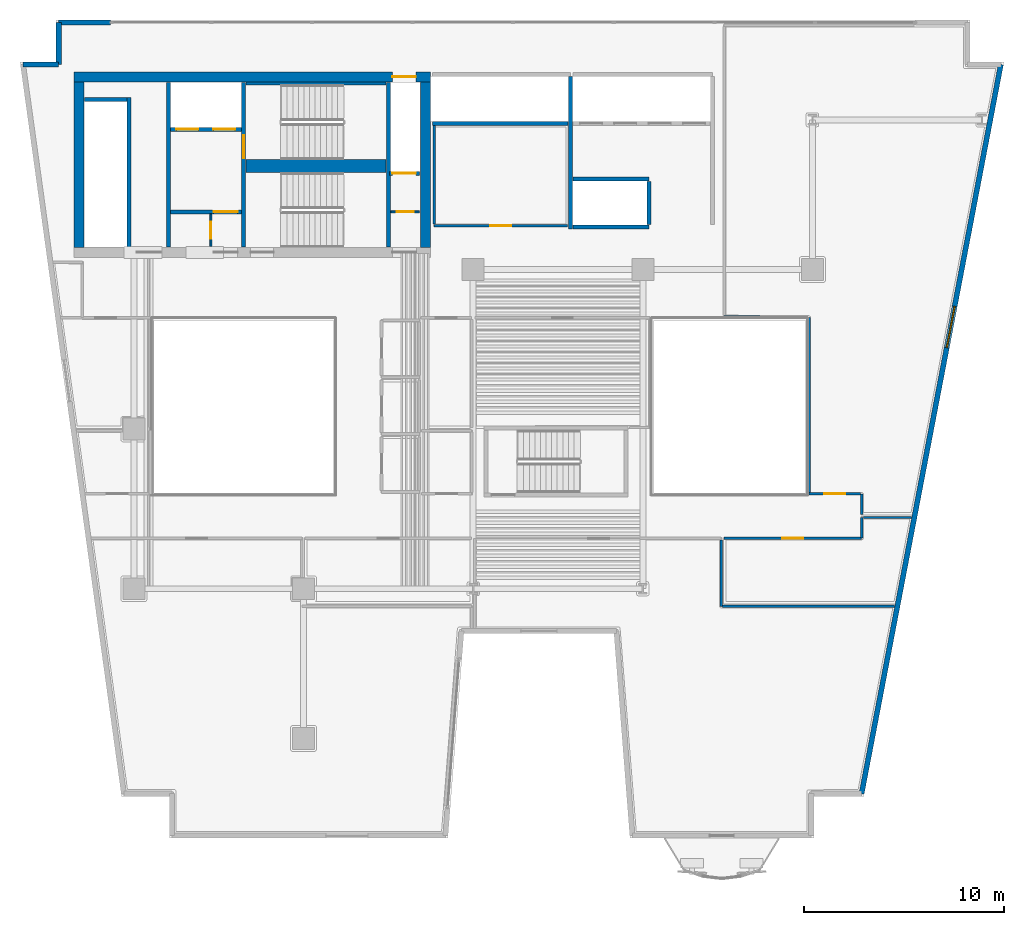
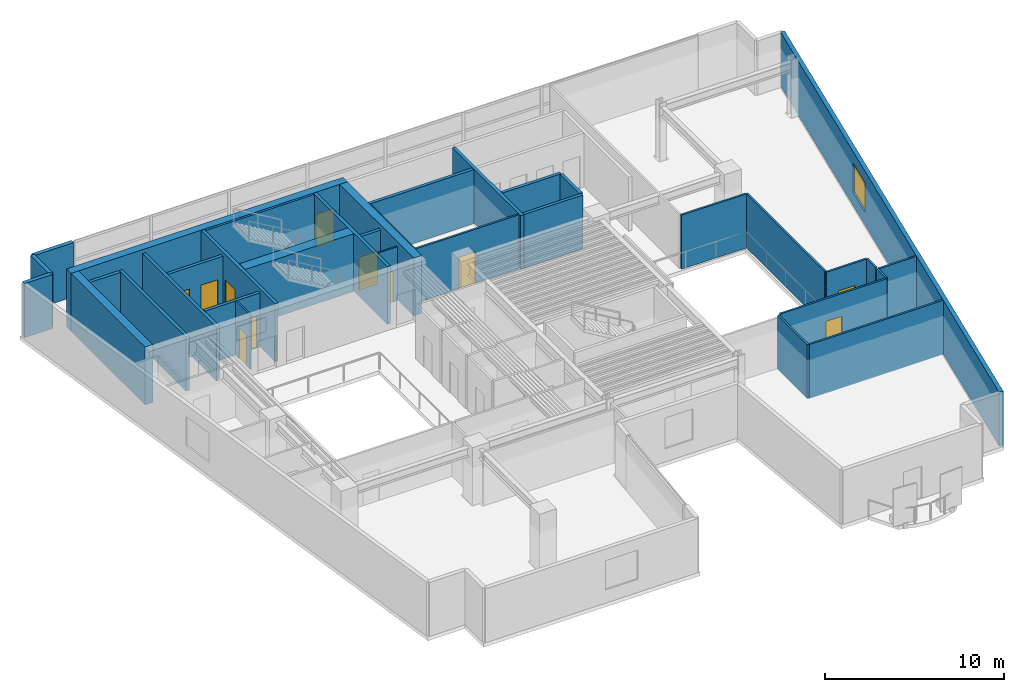
# One storey, part 7 of 12: 35 walls, 11 doors, 1 window, 12 openings.
"""IFC4 building model written with IfcOpenShell, lengths in metres."""

from ifc_helpers import new_model, si_unit, direction, frame, frame_2d, origin, place, context, subcontext, project, spatial, rectangle, extrude, material, layer, layer_set, type_object, element, fill, save


model = new_model("IFC4")

# Units and contexts
model_context = context("Model", 3, precision=1e-05, world=origin(), true_north=direction((0.0, 1.0)))
body_context = subcontext(model_context, "Body", "Model", "MODEL_VIEW")
ifc_project = project(units=[si_unit("LENGTHUNIT", "METRE"), si_unit("AREAUNIT", "SQUARE_METRE"), si_unit("VOLUMEUNIT", "CUBIC_METRE"), si_unit("PLANEANGLEUNIT", "RADIAN"), si_unit("MASSUNIT", "GRAM", prefix="KILO")], contexts=[model_context])

# Site, building, storey
site_placement = place(None, origin())
site = spatial("IfcSite", under=ifc_project, at=site_placement, CompositionType="ELEMENT")
building_placement = place(site_placement, origin())
building = spatial("IfcBuilding", under=site, at=building_placement, Name="Caeloran Harvest Quay", CompositionType="ELEMENT")
storey_placement = place(building_placement, frame((0.0, 0.0, 111.39990234375)))
storey = spatial("IfcBuildingStorey", under=building, at=storey_placement, Name="L25", CompositionType="ELEMENT", Elevation=111.39990234375)

# Walls
ifc_material_1 = material(Name="Precast concrete C50/60", Category="concrete")
ifc_layer_1 = layer(ifc_material_1, 0.260009765625, Name="Precast concrete C50/60")
ifc_layer_set_1 = layer_set([ifc_layer_1], Name="Precast concrete C50/60")
wall_type_1 = type_object("IfcWallType", Name="ENV-WALL-EW-260", PredefinedType="STANDARD", material=ifc_layer_set_1)
wall_1_placement = place(storey_placement, frame((2.939697265625, 41.27001953125, 0.0), z_axis=(0.0, 0.0, 1.0), x_axis=(1.0, 0.0, 0.0)))
element("IfcWall", 1, at=wall_1_placement, inside=storey, type_object=wall_type_1, Name="L25 Exterior Precast Concrete Facade Wall 4", PredefinedType="STANDARD", context=body_context, shape_type="SweptSolid", body=[
    extrude(rectangle(XDim=1.790283203125, YDim=0.260009765625, at=frame_2d((0.89501953125, 0.0))), origin(), (0.0, 0.0, 1.0), 3.690185546875),
])
wall_2_placement = place(storey_placement, frame((4.72998046875, 41.27001953125, 0.0), z_axis=(0.0, 0.0, 1.0), x_axis=(0.0, 1.0, 0.0)))
element("IfcWall", 2, at=wall_2_placement, inside=storey, type_object=wall_type_1, Name="L25 Exterior Precast Concrete Facade Wall 5", PredefinedType="STANDARD", context=body_context, shape_type="SweptSolid", body=[
    extrude(rectangle(XDim=2.10009765625, YDim=0.260009765625, at=frame_2d((1.050048828125, 0.0))), origin(), (0.0, 0.0, 1.0), 3.690185546875),
])
wall_3_placement = place(storey_placement, frame((4.72998046875, 43.3701171875, 0.0), z_axis=(0.0, 0.0, 1.0), x_axis=(1.0, 0.0, 0.0)))
element("IfcWall", 3, at=wall_3_placement, inside=storey, type_object=wall_type_1, Name="L25 Exterior Facade Corner Pier Wall 6A", PredefinedType="STANDARD", context=body_context, shape_type="SweptSolid", body=[
    extrude(rectangle(XDim=2.60009765625, YDim=0.260009765625, at=frame_2d((1.300048828125, 0.0))), origin(), (0.0, 0.0, 1.0), 3.690185546875),
])

# Wall, opening, window
wall_4_placement = place(storey_placement, frame((51.94189453125, 41.27001953125, 0.0), z_axis=(0.0, 0.0, 1.0), x_axis=(-0.187592192405, -0.982247000173, 0.0)))
wall_4 = element("IfcWall", 4, at=wall_4_placement, inside=storey, type_object=wall_type_1, Name="L25 Exterior Precast Concrete Facade Wall 9", PredefinedType="STANDARD", context=body_context, shape_type="SweptSolid", body=[
    extrude(rectangle(XDim=37.200439453125, YDim=0.260009765625, at=frame_2d((18.60009765625, 0.0))), origin(), (0.0, 0.0, 1.0), 3.690185546875),
])
opening_1_placement = place(wall_4_placement, frame((12.342041015625, 0.0, 0.89990234375)))
opening_1 = element("IfcOpeningElement", 5, at=opening_1_placement, cuts=wall_4, Name="Opening W-06", PredefinedType="OPENING", context=body_context, shape_type="SweptSolid", body=[
    extrude(rectangle(XDim=2.10009765625, YDim=2.0, at=frame_2d((1.050048828125, 1.0))), frame((0.0, 0.14013671875, 0.0), z_axis=(0.0, -1.0, 0.0), x_axis=(1.0, 0.0, 0.0)), (0.0, 0.0, 1.0), 0.280029296875),
])
ifc_material_2 = material(Name="Aluminium-Framed Low-E Laminated Glass", Category="aluminium")
window_type = type_object("IfcWindowType", Name="WIN-W-06", PartitioningType="DOUBLE_PANEL_VERTICAL", PredefinedType="WINDOW", material=ifc_material_2)
window_placement = place(opening_1_placement, origin())
window = element("IfcWindow", 6, at=window_placement, inside=storey, type_object=window_type, Name="L25 Facade Punched Window W-06", OverallHeight=2.0, OverallWidth=2.10009765625, PartitioningType="DOUBLE_PANEL_VERTICAL", PredefinedType="WINDOW", context=body_context, shape_type="SweptSolid", body=[
    extrude(rectangle(XDim=2.10009765625, YDim=2.0, at=frame_2d((1.050048828125, 1.0))), frame((0.0, 0.030029296875, 0.0), z_axis=(0.0, -1.0, 0.0), x_axis=(1.0, 0.0, 0.0)), (0.0, 0.0, 1.0), 0.06005859375),
])
fill(opening_1, window)

# Wall, opening, door
ifc_material_3 = material(Name="Fire-Resisting Gypsum Core Riser Partition", Category="gypsum")
ifc_layer_2 = layer(ifc_material_3, 0.10009765625, Name="Fire-Resisting Gypsum Core Riser Partition")
ifc_layer_set_2 = layer_set([ifc_layer_2], Name="Fire-Resisting Gypsum Core Riser Partition")
wall_type_2 = type_object("IfcWallType", Name="INT-WALL-PW-100", PredefinedType="PARTITIONING", material=ifc_layer_set_2)
wall_5_placement = place(storey_placement, frame((12.360107421875, 32.159912109375, 0.0), z_axis=(0.0, 0.0, 1.0), x_axis=(0.0, 1.0, 0.0)))
wall_5 = element("IfcWall", 7, at=wall_5_placement, inside=storey, type_object=wall_type_2, Name="L25 Core Store Partition Wall", PredefinedType="PARTITIONING", context=body_context, shape_type="SweptSolid", body=[
    extrude(rectangle(XDim=1.6201171875, YDim=0.10009765625, at=frame_2d((0.81005859375, 0.0))), origin(), (0.0, 0.0, 1.0), 3.690185546875),
])
opening_2_placement = place(wall_5_placement, frame((0.3798828125, 0.0, 0.0)))
opening_2 = element("IfcOpeningElement", 8, at=opening_2_placement, cuts=wall_5, Name="Opening SV-01", PredefinedType="OPENING", context=body_context, shape_type="SweptSolid", body=[
    extrude(rectangle(XDim=0.85009765625, YDim=2.10009765625, at=frame_2d((0.425048828125, 1.050048828125))), frame((0.0, 0.06005859375, 0.0), z_axis=(0.0, -1.0, 0.0), x_axis=(1.0, 0.0, 0.0)), (0.0, 0.0, 1.0), 0.1201171875),
])
ifc_material_4 = material(Name="Galvanized Painted Steel", Category="steel")
door_type_1 = type_object("IfcDoorType", Name="INTDOOR-SV-01", OperationType="NOTDEFINED", PredefinedType="DOOR", material=ifc_material_4)
door_1_placement = place(opening_2_placement, origin())
door_1 = element("IfcDoor", 9, at=door_1_placement, inside=storey, type_object=door_type_1, Name="L25 Core Service Room Access Door", OperationType="SINGLE_SWING_LEFT", OverallHeight=2.10009765625, OverallWidth=0.85009765625, PredefinedType="DOOR", context=body_context, shape_type="SweptSolid", body=[
    extrude(rectangle(XDim=0.85009765625, YDim=2.10009765625, at=frame_2d((0.425048828125, 1.050048828125))), frame((0.0, 0.02490234375, 0.0), z_axis=(0.0, -1.0, 0.0), x_axis=(1.0, 0.0, 0.0)), (0.0, 0.0, 1.0), 0.050048828125),
])
fill(opening_2, door_1)

wall_6_placement = place(storey_placement, frame((21.3798828125, 33.889892578125, 0.0), z_axis=(0.0, 0.0, 1.0), x_axis=(1.0, 0.0, 0.0)))
wall_6 = element("IfcWall", 10, at=wall_6_placement, inside=storey, type_object=wall_type_2, Name="L25 Cleaner Store Partition Wall", PredefinedType="PARTITIONING", context=body_context, shape_type="SweptSolid", body=[
    extrude(rectangle(XDim=1.420166015625, YDim=0.10009765625, at=frame_2d((0.7099609375, 0.0))), origin(), (0.0, 0.0, 1.0), 3.690185546875),
])
opening_3_placement = place(wall_6_placement, frame((0.280029296875, 0.0, 0.0)))
opening_3 = element("IfcOpeningElement", 11, at=opening_3_placement, cuts=wall_6, Name="Opening SV-01", PredefinedType="OPENING", context=body_context, shape_type="SweptSolid", body=[
    extrude(rectangle(XDim=0.85009765625, YDim=2.10009765625, at=frame_2d((0.425048828125, 1.050048828125))), frame((0.0, 0.06005859375, 0.0), z_axis=(0.0, -1.0, 0.0), x_axis=(1.0, 0.0, 0.0)), (0.0, 0.0, 1.0), 0.1201171875),
])
door_2_placement = place(opening_3_placement, origin())
door_2 = element("IfcDoor", 12, at=door_2_placement, inside=storey, type_object=door_type_1, Name="L25 Cleaner Supply Store Access Door", OperationType="SINGLE_SWING_RIGHT", OverallHeight=2.10009765625, OverallWidth=0.85009765625, PredefinedType="DOOR", context=body_context, shape_type="SweptSolid", body=[
    extrude(rectangle(XDim=0.85009765625, YDim=2.10009765625, at=frame_2d((0.425048828125, 1.050048828125))), frame((0.0, 0.02490234375, 0.0), z_axis=(0.0, -1.0, 0.0), x_axis=(1.0, 0.0, 0.0)), (0.0, 0.0, 1.0), 0.050048828125),
])
fill(opening_3, door_2)

ifc_material_5 = material(Name="Twin-Stud Mineral-Wool Acoustic Gypsum Partition", Category="gypsum")
ifc_layer_3 = layer(ifc_material_5, 0.125, Name="Twin-Stud Mineral-Wool Acoustic Gypsum Partition")
ifc_layer_set_3 = layer_set([ifc_layer_3], Name="Twin-Stud Mineral-Wool Acoustic Gypsum Partition")
wall_type_3 = type_object("IfcWallType", Name="INT-WALL-PW-125", PredefinedType="PARTITIONING", material=ifc_layer_set_3)
wall_7_placement = place(storey_placement, frame((30.219970703125, 33.199951171875, 0.0), z_axis=(0.0, 0.0, 1.0), x_axis=(-1.0, 0.0, 0.0)))
wall_7 = element("IfcWall", 13, at=wall_7_placement, inside=storey, type_object=wall_type_3, Name="L25 North Core Calibration Lab Partition Wall", PredefinedType="PARTITIONING", context=body_context, shape_type="SweptSolid", body=[
    extrude(rectangle(XDim=6.679931640625, YDim=0.125, at=frame_2d((3.33984375, 0.0))), origin(), (0.0, 0.0, 1.0), 3.690185546875),
])
opening_4_placement = place(wall_7_placement, frame((2.81494140625, 0.0, 0.0)))
opening_4 = element("IfcOpeningElement", 14, at=opening_4_placement, cuts=wall_7, Name="Opening ID-03", PredefinedType="OPENING", context=body_context, shape_type="SweptSolid", body=[
    extrude(rectangle(XDim=1.050048828125, YDim=2.14990234375, at=frame_2d((0.52490234375, 1.074951171875))), frame((0.0, 0.072509765625, 0.0), z_axis=(0.0, -1.0, 0.0), x_axis=(1.0, 0.0, 0.0)), (0.0, 0.0, 1.0), 0.14501953125),
])
ifc_material_6 = material(Name="FSC Solid-Core Oak Timber Leaf", Category="wood")
door_type_2 = type_object("IfcDoorType", Name="INTDOOR-ID-03", OperationType="NOTDEFINED", PredefinedType="DOOR", material=ifc_material_6)
door_3_placement = place(opening_4_placement, origin())
door_3 = element("IfcDoor", 15, at=door_3_placement, inside=storey, type_object=door_type_2, Name="L25 North Core Calibration Lab Access Door", OperationType="SINGLE_SWING_LEFT", OverallHeight=2.14990234375, OverallWidth=1.050048828125, PredefinedType="DOOR", context=body_context, shape_type="SweptSolid", body=[
    extrude(rectangle(XDim=1.050048828125, YDim=2.14990234375, at=frame_2d((0.52490234375, 1.074951171875))), frame((0.0, 0.02490234375, 0.0), z_axis=(0.0, -1.0, 0.0), x_axis=(1.0, 0.0, 0.0)), (0.0, 0.0, 1.0), 0.050048828125),
])
fill(opening_4, door_3)

# Walls
wall_8_placement = place(storey_placement, frame((23.5400390625, 33.267578125, 0.0), z_axis=(0.0, 0.0, 1.0), x_axis=(0.0, 1.0, 0.0)))
element("IfcWall", 16, at=wall_8_placement, inside=storey, type_object=wall_type_3, Name="L25 North Core Calibration Lab Partition Wall", PredefinedType="PARTITIONING", context=body_context, shape_type="SweptSolid", body=[
    extrude(rectangle(XDim=4.947509765625, YDim=0.125, at=frame_2d((2.4736328125, 0.0))), origin(), (0.0, 0.0, 1.0), 3.690185546875),
])
wall_9_placement = place(storey_placement, frame((37.919921875, 17.452392578125, 0.0), z_axis=(0.0, 0.0, 1.0), x_axis=(0.0, -1.0, 0.0)))
element("IfcWall", 17, at=wall_9_placement, inside=storey, type_object=wall_type_3, Name="Crop Genomics Wet Laboratory Partition Wall", PredefinedType="PARTITIONING", context=body_context, shape_type="SweptSolid", body=[
    extrude(rectangle(XDim=3.332275390625, YDim=0.125, at=frame_2d((1.666015625, 0.0))), origin(), (0.0, 0.0, 1.0), 3.690185546875),
])
wall_10_placement = place(storey_placement, frame((37.987548828125, 14.1201171875, 0.0), z_axis=(0.0, 0.0, 1.0), x_axis=(1.0, 0.0, 0.0)))
element("IfcWall", 18, at=wall_10_placement, inside=storey, type_object=wall_type_3, Name="Crop Genomics Wet Laboratory Partition Wall", PredefinedType="PARTITIONING", context=body_context, shape_type="SweptSolid", body=[
    extrude(rectangle(XDim=8.6318359375, YDim=0.125, at=frame_2d((4.31591796875, 0.0))), origin(), (0.0, 0.0, 1.0), 3.690185546875),
])
wall_11_placement = place(storey_placement, frame((44.97998046875, 17.550048828125, 0.0), z_axis=(0.0, 0.0, 1.0), x_axis=(0.0, 1.0, 0.0)))
element("IfcWall", 19, at=wall_11_placement, inside=storey, type_object=wall_type_3, Name="Patent Strategy Office Partition Wall", PredefinedType="PARTITIONING", context=body_context, shape_type="SweptSolid", body=[
    extrude(rectangle(XDim=1.02001953125, YDim=0.125, at=frame_2d((0.510009765625, 0.0))), origin(), (0.0, 0.0, 1.0), 3.690185546875),
])
wall_12_placement = place(storey_placement, frame((45.047607421875, 18.570068359375, 0.0), z_axis=(0.0, 0.0, 1.0), x_axis=(1.0, 0.0, 0.0)))
element("IfcWall", 20, at=wall_12_placement, inside=storey, type_object=wall_type_3, Name="Patent Strategy Office Partition Wall", PredefinedType="PARTITIONING", context=body_context, shape_type="SweptSolid", body=[
    extrude(rectangle(XDim=2.421630859375, YDim=0.125, at=frame_2d((1.2109375, 0.0))), origin(), (0.0, 0.0, 1.0), 3.690185546875),
])

# Wall, opening, door
wall_13_placement = place(storey_placement, frame((38.080078125, 17.52001953125, 0.0), z_axis=(0.0, 0.0, 1.0), x_axis=(1.0, 0.0, 0.0)))
wall_13 = element("IfcWall", 21, at=wall_13_placement, inside=storey, type_object=wall_type_3, Name="Patent Strategy Office Partition Wall", PredefinedType="PARTITIONING", context=body_context, shape_type="SweptSolid", body=[
    extrude(rectangle(XDim=6.869873046875, YDim=0.125, at=frame_2d((3.43505859375, 0.0))), origin(), (0.0, 0.0, 1.0), 3.690185546875),
])
opening_5_placement = place(wall_13_placement, frame((2.909912109375, 0.0, 0.0)))
opening_5 = element("IfcOpeningElement", 22, at=opening_5_placement, cuts=wall_13, Name="Opening ID-03", PredefinedType="OPENING", context=body_context, shape_type="SweptSolid", body=[
    extrude(rectangle(XDim=1.050048828125, YDim=2.14990234375, at=frame_2d((0.52490234375, 1.074951171875))), frame((0.0, 0.072509765625, 0.0), z_axis=(0.0, -1.0, 0.0), x_axis=(1.0, 0.0, 0.0)), (0.0, 0.0, 1.0), 0.14501953125),
])
door_4_placement = place(opening_5_placement, origin())
door_4 = element("IfcDoor", 23, at=door_4_placement, inside=storey, type_object=door_type_2, Name="Patent Strategy Office Access Door", OperationType="SINGLE_SWING_RIGHT", OverallHeight=2.14990234375, OverallWidth=1.050048828125, PredefinedType="DOOR", context=body_context, shape_type="SweptSolid", body=[
    extrude(rectangle(XDim=1.050048828125, YDim=2.14990234375, at=frame_2d((0.52490234375, 1.074951171875))), frame((0.0, 0.02490234375, 0.0), z_axis=(0.0, -1.0, 0.0), x_axis=(1.0, 0.0, 0.0)), (0.0, 0.0, 1.0), 0.050048828125),
])
fill(opening_5, door_4)

# Wall
wall_14_placement = place(storey_placement, frame((44.97998046875, 18.72998046875, 0.0), z_axis=(0.0, 0.0, 1.0), x_axis=(0.0, 1.0, 0.0)))
element("IfcWall", 24, at=wall_14_placement, inside=storey, type_object=wall_type_3, Name="Phenotyping Sensor Laboratory 10 Partition Wall", PredefinedType="PARTITIONING", context=body_context, shape_type="SweptSolid", body=[
    extrude(rectangle(XDim=1.02001953125, YDim=0.125, at=frame_2d((0.510009765625, 0.0))), origin(), (0.0, 0.0, 1.0), 3.690185546875),
])

# Wall, opening, door
wall_15_placement = place(storey_placement, frame((44.91259765625, 19.75, 0.0), z_axis=(0.0, 0.0, 1.0), x_axis=(-1.0, 0.0, 0.0)))
wall_15 = element("IfcWall", 25, at=wall_15_placement, inside=storey, type_object=wall_type_3, Name="Phenotyping Sensor Laboratory 10 Partition Wall", PredefinedType="PARTITIONING", context=body_context, shape_type="SweptSolid", body=[
    extrude(rectangle(XDim=2.58251953125, YDim=0.125, at=frame_2d((1.291259765625, 0.0))), origin(), (0.0, 0.0, 1.0), 3.690185546875),
])
opening_6_placement = place(wall_15_placement, frame((0.766357421875, 0.0, 0.0)))
opening_6 = element("IfcOpeningElement", 26, at=opening_6_placement, cuts=wall_15, Name="Opening ID-03", PredefinedType="OPENING", context=body_context, shape_type="SweptSolid", body=[
    extrude(rectangle(XDim=1.050048828125, YDim=2.14990234375, at=frame_2d((0.52490234375, 1.074951171875))), frame((0.0, 0.072509765625, 0.0), z_axis=(0.0, -1.0, 0.0), x_axis=(1.0, 0.0, 0.0)), (0.0, 0.0, 1.0), 0.14501953125),
])
door_5_placement = place(opening_6_placement, origin())
door_5 = element("IfcDoor", 27, at=door_5_placement, inside=storey, type_object=door_type_2, Name="Phenotyping Sensor Laboratory 10 Access Door", OperationType="SINGLE_SWING_RIGHT", OverallHeight=2.14990234375, OverallWidth=1.050048828125, PredefinedType="DOOR", context=body_context, shape_type="SweptSolid", body=[
    extrude(rectangle(XDim=1.050048828125, YDim=2.14990234375, at=frame_2d((0.52490234375, 1.074951171875))), frame((0.0, 0.02490234375, 0.0), z_axis=(0.0, -1.0, 0.0), x_axis=(1.0, 0.0, 0.0)), (0.0, 0.0, 1.0), 0.050048828125),
])
fill(opening_6, door_5)

# Walls
wall_16_placement = place(storey_placement, frame((42.330078125, 19.8173828125, 0.0), z_axis=(0.0, 0.0, 1.0), x_axis=(0.0, 1.0, 0.0)))
element("IfcWall", 28, at=wall_16_placement, inside=storey, type_object=wall_type_3, Name="Phenotyping Sensor Laboratory 10 Partition Wall", PredefinedType="PARTITIONING", context=body_context, shape_type="SweptSolid", body=[
    extrude(rectangle(XDim=8.78271484375, YDim=0.125, at=frame_2d((4.391357421875, 0.0))), origin(), (0.0, 0.0, 1.0), 3.690185546875),
])
wall_17_placement = place(storey_placement, frame((42.262451171875, 28.6005859375, 0.0), z_axis=(0.0, 0.0, 1.0), x_axis=(-0.999975466976, 0.007004673168, 0.0)))
element("IfcWall", 29, at=wall_17_placement, inside=storey, type_object=wall_type_3, Name="Phenotyping Sensor Laboratory 10 Partition Wall", PredefinedType="PARTITIONING", context=body_context, shape_type="SweptSolid", body=[
    extrude(rectangle(XDim=4.182373046875, YDim=0.125, at=frame_2d((2.09130859375, 0.0))), origin(), (0.0, 0.0, 1.0), 3.690185546875),
])
ifc_material_7 = material(Name="Concrete C50/60", Category="concrete")
ifc_layer_4 = layer(ifc_material_7, 0.199951171875, Name="Concrete C50/60")
ifc_layer_set_4 = layer_set([ifc_layer_4], Name="Concrete C50/60")
wall_type_4 = type_object("IfcWallType", Name="INT-WALL-SW-200", PredefinedType="PARTITIONING", material=ifc_layer_set_4)
wall_18_placement = place(storey_placement, frame((8.260009765625, 32.1201171875, 0.0), z_axis=(0.0, 0.0, 1.0), x_axis=(0.0, 1.0, 0.0)))
element("IfcWall", 30, at=wall_18_placement, inside=storey, type_object=wall_type_4, Name="L25 Bank 3 Lift Shaft Wall", PredefinedType="PARTITIONING", context=body_context, shape_type="SweptSolid", body=[
    extrude(rectangle(XDim=7.5, YDim=0.199951171875, at=frame_2d((3.75, 0.0))), origin(), (0.0, 0.0, 1.0), 3.690185546875),
])
wall_19_placement = place(storey_placement, frame((6.02001953125, 39.52001953125, 0.0), z_axis=(0.0, 0.0, 1.0), x_axis=(1.0, 0.0, 0.0)))
element("IfcWall", 31, at=wall_19_placement, inside=storey, type_object=wall_type_4, Name="L25 Bank 3 Lift Shaft North End Wall", PredefinedType="PARTITIONING", context=body_context, shape_type="SweptSolid", body=[
    extrude(rectangle(XDim=2.119873046875, YDim=0.199951171875, at=frame_2d((1.06005859375, 0.0))), origin(), (0.0, 0.0, 1.0), 3.690185546875),
])
wall_20_placement = place(storey_placement, frame((10.219970703125, 32.1201171875, 0.0), z_axis=(0.0, 0.0, 1.0), x_axis=(0.0, 1.0, 0.0)))
element("IfcWall", 32, at=wall_20_placement, inside=storey, type_object=wall_type_4, Name="L25 Core Lobby Compartment Wall", PredefinedType="PARTITIONING", context=body_context, shape_type="SweptSolid", body=[
    extrude(rectangle(XDim=8.259765625, YDim=0.199951171875, at=frame_2d((4.1298828125, 0.0))), origin(), (0.0, 0.0, 1.0), 3.690185546875),
])

# Wall, openings, doors
wall_21_placement = place(storey_placement, frame((10.340087890625, 38.02001953125, 0.0), z_axis=(0.0, 0.0, 1.0), x_axis=(1.0, 0.0, 0.0)))
wall_21 = element("IfcWall", 33, at=wall_21_placement, inside=storey, type_object=wall_type_4, Name="L25 Firefighting Lift Shaft Wall", PredefinedType="PARTITIONING", context=body_context, shape_type="SweptSolid", body=[
    extrude(rectangle(XDim=3.539794921875, YDim=0.199951171875, at=frame_2d((1.77001953125, 0.0))), origin(), (0.0, 0.0, 1.0), 3.690185546875),
])
opening_7_placement = place(wall_21_placement, frame((0.284912109375, 0.0, 0.0)))
opening_7 = element("IfcOpeningElement", 34, at=opening_7_placement, cuts=wall_21, Name="Opening LD-01", PredefinedType="OPENING", context=body_context, shape_type="SweptSolid", body=[
    extrude(rectangle(XDim=1.10009765625, YDim=2.199951171875, at=frame_2d((0.550048828125, 1.10009765625))), frame((0.0, 0.10986328125, 0.0), z_axis=(0.0, -1.0, 0.0), x_axis=(1.0, 0.0, 0.0)), (0.0, 0.0, 1.0), 0.219970703125),
])
opening_8_placement = place(wall_21_placement, frame((2.135009765625, 0.0, 0.0)))
opening_8 = element("IfcOpeningElement", 35, at=opening_8_placement, cuts=wall_21, Name="Opening LD-01", PredefinedType="OPENING", context=body_context, shape_type="SweptSolid", body=[
    extrude(rectangle(XDim=1.10009765625, YDim=2.199951171875, at=frame_2d((0.550048828125, 1.10009765625))), frame((0.0, 0.10986328125, 0.0), z_axis=(0.0, -1.0, 0.0), x_axis=(1.0, 0.0, 0.0)), (0.0, 0.0, 1.0), 0.219970703125),
])
ifc_material_8 = material(Name="Stainless Steel Grade 316", Category="steel")
door_type_3 = type_object("IfcDoorType", Name="INTDOOR-LD-01", OperationType="NOTDEFINED", PredefinedType="DOOR", material=ifc_material_8)
door_6_placement = place(opening_7_placement, origin())
door_6 = element("IfcDoor", 36, at=door_6_placement, inside=storey, type_object=door_type_3, Name="Lift FF-1 Sliding Landing Door (L25)", OperationType="DOUBLE_DOOR_SLIDING", OverallHeight=2.199951171875, OverallWidth=1.10009765625, PredefinedType="DOOR", context=body_context, shape_type="SweptSolid", body=[
    extrude(rectangle(XDim=1.10009765625, YDim=2.199951171875, at=frame_2d((0.550048828125, 1.10009765625))), frame((0.0, 0.02490234375, 0.0), z_axis=(0.0, -1.0, 0.0), x_axis=(1.0, 0.0, 0.0)), (0.0, 0.0, 1.0), 0.050048828125),
])
fill(opening_7, door_6)
door_7_placement = place(opening_8_placement, origin())
door_7 = element("IfcDoor", 37, at=door_7_placement, inside=storey, type_object=door_type_3, Name="Lift FF-2 Sliding Landing Door (L25)", OperationType="DOUBLE_DOOR_SLIDING", OverallHeight=2.199951171875, OverallWidth=1.10009765625, PredefinedType="DOOR", context=body_context, shape_type="SweptSolid", body=[
    extrude(rectangle(XDim=1.10009765625, YDim=2.199951171875, at=frame_2d((0.550048828125, 1.10009765625))), frame((0.0, 0.02490234375, 0.0), z_axis=(0.0, -1.0, 0.0), x_axis=(1.0, 0.0, 0.0)), (0.0, 0.0, 1.0), 0.050048828125),
])
fill(opening_8, door_7)

# Wall, opening, door
wall_22_placement = place(storey_placement, frame((10.340087890625, 33.8798828125, 0.0), z_axis=(0.0, 0.0, 1.0), x_axis=(1.0, 0.0, 0.0)))
wall_22 = element("IfcWall", 38, at=wall_22_placement, inside=storey, type_object=wall_type_4, Name="L25 Firefighting Lift Lobby Enclosure Wall", PredefinedType="PARTITIONING", context=body_context, shape_type="SweptSolid", body=[
    extrude(rectangle(XDim=3.559814453125, YDim=0.199951171875, at=frame_2d((1.77978515625, 0.0))), origin(), (0.0, 0.0, 1.0), 3.690185546875),
])
opening_9_placement = place(wall_22_placement, frame((2.14990234375, 0.0, 0.0)))
opening_9 = element("IfcOpeningElement", 39, at=opening_9_placement, cuts=wall_22, Name="Opening FD-01", PredefinedType="OPENING", context=body_context, shape_type="SweptSolid", body=[
    extrude(rectangle(XDim=1.199951171875, YDim=2.199951171875, at=frame_2d((0.60009765625, 1.10009765625))), frame((0.0, 0.10986328125, 0.0), z_axis=(0.0, -1.0, 0.0), x_axis=(1.0, 0.0, 0.0)), (0.0, 0.0, 1.0), 0.219970703125),
])
ifc_material_9 = material(Name="Steel", Category="steel")
door_type_4 = type_object("IfcDoorType", Name="INTDOOR-FD-01", OperationType="NOTDEFINED", PredefinedType="DOOR", material=ifc_material_9)
door_8_placement = place(opening_9_placement, origin())
door_8 = element("IfcDoor", 40, at=door_8_placement, inside=storey, type_object=door_type_4, Name="L25 Firefighting Lift Lobby Smoke-Seal Fire Door", OperationType="SINGLE_SWING_LEFT", OverallHeight=2.199951171875, OverallWidth=1.199951171875, PredefinedType="DOOR", context=body_context, shape_type="SweptSolid", body=[
    extrude(rectangle(XDim=1.199951171875, YDim=2.199951171875, at=frame_2d((0.60009765625, 1.10009765625))), frame((0.0, 0.02490234375, 0.0), z_axis=(0.0, -1.0, 0.0), x_axis=(1.0, 0.0, 0.0)), (0.0, 0.0, 1.0), 0.050048828125),
])
fill(opening_9, door_8)

wall_23_placement = place(storey_placement, frame((21.300048828125, 35.820068359375, 0.0), z_axis=(0.0, 0.0, 1.0), x_axis=(1.0, 0.0, 0.0)))
wall_23 = element("IfcWall", 41, at=wall_23_placement, inside=storey, type_object=wall_type_4, Name="L25 Service Lift SV-2 Shaft Wall", PredefinedType="PARTITIONING", context=body_context, shape_type="SweptSolid", body=[
    extrude(rectangle(XDim=1.5, YDim=0.199951171875, at=frame_2d((0.75, 0.0))), origin(), (0.0, 0.0, 1.0), 3.690185546875),
])
opening_10_placement = place(wall_23_placement, frame((0.14501953125, 0.0, 0.0)))
opening_10 = element("IfcOpeningElement", 42, at=opening_10_placement, cuts=wall_23, Name="Opening LD-02", PredefinedType="OPENING", context=body_context, shape_type="SweptSolid", body=[
    extrude(rectangle(XDim=1.179931640625, YDim=2.25, at=frame_2d((0.58984375, 1.125))), frame((0.0, 0.10986328125, 0.0), z_axis=(0.0, -1.0, 0.0), x_axis=(1.0, 0.0, 0.0)), (0.0, 0.0, 1.0), 0.219970703125),
])
door_type_5 = type_object("IfcDoorType", Name="INTDOOR-LD-02", OperationType="NOTDEFINED", PredefinedType="DOOR", material=ifc_material_8)
door_9_placement = place(opening_10_placement, origin())
door_9 = element("IfcDoor", 43, at=door_9_placement, inside=storey, type_object=door_type_5, Name="Lift SV-2 Sliding Landing Door (L25)", OperationType="DOUBLE_DOOR_SLIDING", OverallHeight=2.25, OverallWidth=1.179931640625, PredefinedType="DOOR", context=body_context, shape_type="SweptSolid", body=[
    extrude(rectangle(XDim=1.179931640625, YDim=2.25, at=frame_2d((0.58984375, 1.125))), frame((0.0, 0.02490234375, 0.0), z_axis=(0.0, -1.0, 0.0), x_axis=(1.0, 0.0, 0.0)), (0.0, 0.0, 1.0), 0.050048828125),
])
fill(opening_10, door_9)

# Walls
wall_24_placement = place(storey_placement, frame((30.3798828125, 33.02001953125, 0.0), z_axis=(0.0, 0.0, 1.0), x_axis=(0.0, 1.0, 0.0)))
element("IfcWall", 44, at=wall_24_placement, inside=storey, type_object=wall_type_4, Name="L25 Bank 1 Lift Shaft East Wall", PredefinedType="PARTITIONING", context=body_context, shape_type="SweptSolid", body=[
    extrude(rectangle(XDim=7.639892578125, YDim=0.199951171875, at=frame_2d((3.81982421875, 0.0))), origin(), (0.0, 0.0, 1.0), 3.690185546875),
])
wall_25_placement = place(storey_placement, frame((23.469970703125, 38.320068359375, 0.0), z_axis=(0.0, 0.0, 1.0), x_axis=(1.0, 0.0, 0.0)))
element("IfcWall", 45, at=wall_25_placement, inside=storey, type_object=wall_type_4, Name="L25 Bank 1 Lift Landing Front Wall", PredefinedType="PARTITIONING", context=body_context, shape_type="SweptSolid", body=[
    extrude(rectangle(XDim=6.7900390625, YDim=0.199951171875, at=frame_2d((3.39501953125, 0.0))), origin(), (0.0, 0.0, 1.0), 3.690185546875),
])
for number, where, z_axis, x_axis, name in (
    (46, (30.5, 35.530029296875, 0.0), (0.0, 0.0, 1.0), (1.0, 0.0, 0.0), "L25 Shuttle Lift Landing Front Wall"),
    (47, (30.5, 33.1201171875, 0.0), (0.0, 0.0, 1.0), (1.0, 0.0, 0.0), "L25 Shuttle Lift Shaft South Wall"),
):
    element("IfcWall", number, at=place(storey_placement, frame(where, z_axis=z_axis, x_axis=x_axis)), inside=storey, type_object=wall_type_4, Name=name, PredefinedType="PARTITIONING", context=body_context, shape_type="SweptSolid", body=[
        extrude(rectangle(XDim=3.800048828125, YDim=0.199951171875, at=frame_2d((1.89990234375, 0.0))), origin(), (0.0, 0.0, 1.0), 3.690185546875),
    ])
wall_26_placement = place(storey_placement, frame((34.300048828125, 33.239990234375, 0.0), z_axis=(0.0, 0.0, 1.0), x_axis=(0.0, 1.0, 0.0)))
element("IfcWall", 48, at=wall_26_placement, inside=storey, type_object=wall_type_4, Name="L25 Shuttle Lift Shaft East Wall", PredefinedType="PARTITIONING", context=body_context, shape_type="SweptSolid", body=[
    extrude(rectangle(XDim=2.169921875, YDim=0.199951171875, at=frame_2d((1.0849609375, 0.0))), origin(), (0.0, 0.0, 1.0), 3.690185546875),
])

# Wall, opening, door
ifc_material_10 = material(Name="Concrete C70/85", Category="concrete")
ifc_layer_5 = layer(ifc_material_10, 0.5, Name="Concrete C70/85")
ifc_layer_set_5 = layer_set([ifc_layer_5], Name="Concrete C70/85")
wall_type_5 = type_object("IfcWallType", Name="STR-WALL-CW-500", PredefinedType="SHEAR", material=ifc_layer_set_5)
wall_27_placement = place(storey_placement, frame((5.5, 40.64990234375, 0.0), z_axis=(0.0, 0.0, 1.0), x_axis=(1.0, 0.0, 0.0)))
wall_27 = element("IfcWall", 49, at=wall_27_placement, inside=storey, type_object=wall_type_5, Name="L25 Rear Core Shear Wall N", PredefinedType="SHEAR", context=body_context, shape_type="SweptSolid", body=[
    extrude(rectangle(XDim=17.85009765625, YDim=0.5, at=frame_2d((8.925048828125, 0.0))), origin(), (0.0, 0.0, 1.0), 3.9501953125),
])
opening_11_placement = place(wall_27_placement, frame((15.945068359375, 0.0, 0.0)))
opening_11 = element("IfcOpeningElement", 50, at=opening_11_placement, cuts=wall_27, Name="Opening LD-02", PredefinedType="OPENING", context=body_context, shape_type="SweptSolid", body=[
    extrude(rectangle(XDim=1.179931640625, YDim=2.25, at=frame_2d((0.58984375, 1.125))), frame((0.0, 0.260009765625, 0.0), z_axis=(0.0, -1.0, 0.0), x_axis=(1.0, 0.0, 0.0)), (0.0, 0.0, 1.0), 0.52001953125),
])
door_10_placement = place(opening_11_placement, origin())
door_10 = element("IfcDoor", 51, at=door_10_placement, inside=storey, type_object=door_type_5, Name="Lift SV-1 Sliding Landing Door (L25)", OperationType="DOUBLE_DOOR_SLIDING", OverallHeight=2.25, OverallWidth=1.179931640625, PredefinedType="DOOR", context=body_context, shape_type="SweptSolid", body=[
    extrude(rectangle(XDim=1.179931640625, YDim=2.25, at=frame_2d((0.58984375, 1.125))), frame((0.0, 0.02490234375, 0.0), z_axis=(0.0, -1.0, 0.0), x_axis=(1.0, 0.0, 0.0)), (0.0, 0.0, 1.0), 0.050048828125),
])
fill(opening_11, door_10)

# Walls
for number, where, z_axis, x_axis, name in (
    (52, (5.75, 32.10009765625, 0.0), (0.0, 0.0, 1.0), (0.0, 1.0, 0.0), "L25 Rear Core Shear Wall W"),
    (53, (23.10009765625, 32.10009765625, 0.0), (0.0, 0.0, 1.0), (0.0, 1.0, 0.0), "L25 Rear Core Shear Wall E"),
):
    element("IfcWall", number, at=place(storey_placement, frame(where, z_axis=z_axis, x_axis=x_axis)), inside=storey, type_object=wall_type_5, Name=name, PredefinedType="SHEAR", context=body_context, shape_type="SweptSolid", body=[
        extrude(rectangle(XDim=8.2998046875, YDim=0.5, at=frame_2d((4.14990234375, 0.0))), origin(), (0.0, 0.0, 1.0), 3.9501953125),
    ])
ifc_material_11 = material(Name="Concrete C60/75", Category="concrete")
ifc_layer_6 = layer(ifc_material_11, 0.64990234375, Name="Concrete C60/75")
ifc_layer_set_6 = layer_set([ifc_layer_6], Name="Concrete C60/75")
wall_type_6 = type_object("IfcWallType", Name="STR-WALL-CW-650", PredefinedType="SHEAR", material=ifc_layer_set_6)
wall_28_placement = place(storey_placement, frame((14.1201171875, 36.175048828125, 0.0), z_axis=(0.0, 0.0, 1.0), x_axis=(1.0, 0.0, 0.0)))
element("IfcWall", 54, at=wall_28_placement, inside=storey, type_object=wall_type_6, Name="L25 Core Stairs Dividing Shear Wall", PredefinedType="SHEAR", context=body_context, shape_type="SweptSolid", body=[
    extrude(rectangle(XDim=7.009765625, YDim=0.64990234375, at=frame_2d((3.5048828125, 0.0))), origin(), (0.0, 0.0, 1.0), 3.9501953125),
])
ifc_layer_7 = layer(ifc_material_11, 0.139892578125, Name="Concrete C60/75")
ifc_layer_set_7 = layer_set([ifc_layer_7], Name="Concrete C60/75")
wall_type_7 = type_object("IfcWallType", Name="STR-WALL-SW-140", PredefinedType="SHEAR", material=ifc_layer_set_7)
wall_29_placement = place(storey_placement, frame((14.1201171875, 40.320068359375, 0.0), z_axis=(0.0, 0.0, 1.0), x_axis=(1.0, 0.0, 0.0)))
element("IfcWall", 55, at=wall_29_placement, inside=storey, type_object=wall_type_7, Name="L25 Core Stair ST-C1 North Bearing Shear Wall", PredefinedType="SHEAR", context=body_context, shape_type="SweptSolid", body=[
    extrude(rectangle(XDim=7.009765625, YDim=0.139892578125, at=frame_2d((3.5048828125, 0.0))), origin(), (0.0, 0.0, 1.0), 3.9501953125),
])

# Wall, opening, door
ifc_layer_8 = layer(ifc_material_11, 0.199951171875, Name="Concrete C60/75")
ifc_layer_set_8 = layer_set([ifc_layer_8], Name="Concrete C60/75")
wall_type_8 = type_object("IfcWallType", Name="STR-WALL-SW-200", PredefinedType="SHEAR", material=ifc_layer_set_8)
wall_30_placement = place(storey_placement, frame((14.0, 32.1201171875, 0.0), z_axis=(0.0, 0.0, 1.0), x_axis=(0.0, 1.0, 0.0)))
wall_30 = element("IfcWall", 56, at=wall_30_placement, inside=storey, type_object=wall_type_8, Name="L25 Core Stair Shaft West Shear Wall", PredefinedType="SHEAR", context=body_context, shape_type="SweptSolid", body=[
    extrude(rectangle(XDim=8.259765625, YDim=0.199951171875, at=frame_2d((4.1298828125, 0.0))), origin(), (0.0, 0.0, 1.0), 3.9501953125),
])
opening_12_placement = place(wall_30_placement, frame((4.4599609375, 0.0, 0.0)))
opening_12 = element("IfcOpeningElement", 57, at=opening_12_placement, cuts=wall_30, Name="Opening SD-01", PredefinedType="OPENING", context=body_context, shape_type="SweptSolid", body=[
    extrude(rectangle(XDim=1.14990234375, YDim=2.199951171875, at=frame_2d((0.574951171875, 1.10009765625))), frame((0.0, 0.10986328125, 0.0), z_axis=(0.0, -1.0, 0.0), x_axis=(1.0, 0.0, 0.0)), (0.0, 0.0, 1.0), 0.219970703125),
])
door_type_6 = type_object("IfcDoorType", Name="INTDOOR-SD-01", OperationType="NOTDEFINED", PredefinedType="DOOR", material=ifc_material_9)
door_11_placement = place(opening_12_placement, origin())
door_11 = element("IfcDoor", 58, at=door_11_placement, inside=storey, type_object=door_type_6, Name="L25 Protected Stair ST-C1 Exit Door", OperationType="SINGLE_SWING_LEFT", OverallHeight=2.199951171875, OverallWidth=1.14990234375, PredefinedType="DOOR", context=body_context, shape_type="SweptSolid", body=[
    extrude(rectangle(XDim=1.14990234375, YDim=2.199951171875, at=frame_2d((0.574951171875, 1.10009765625))), frame((0.0, 0.02490234375, 0.0), z_axis=(0.0, -1.0, 0.0), x_axis=(1.0, 0.0, 0.0)), (0.0, 0.0, 1.0), 0.050048828125),
])
fill(opening_12, door_11)

# Wall
wall_31_placement = place(storey_placement, frame((21.25, 32.1201171875, 0.0), z_axis=(0.0, 0.0, 1.0), x_axis=(0.0, 1.0, 0.0)))
element("IfcWall", 59, at=wall_31_placement, inside=storey, type_object=wall_type_8, Name="L25 Core Stair Shaft East Shear Wall", PredefinedType="SHEAR", context=body_context, shape_type="SweptSolid", body=[
    extrude(rectangle(XDim=8.259765625, YDim=0.199951171875, at=frame_2d((4.1298828125, 0.0))), origin(), (0.0, 0.0, 1.0), 3.9501953125),
])

save(model, "model.ifc")
